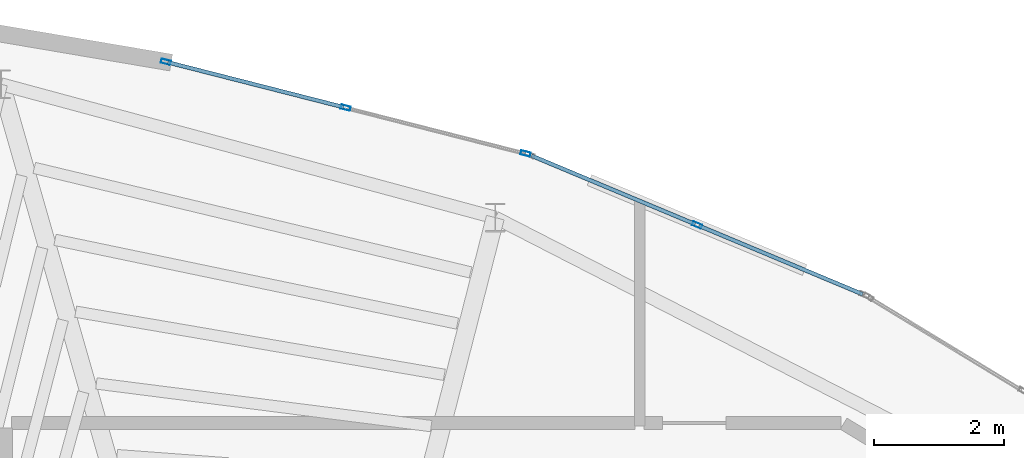
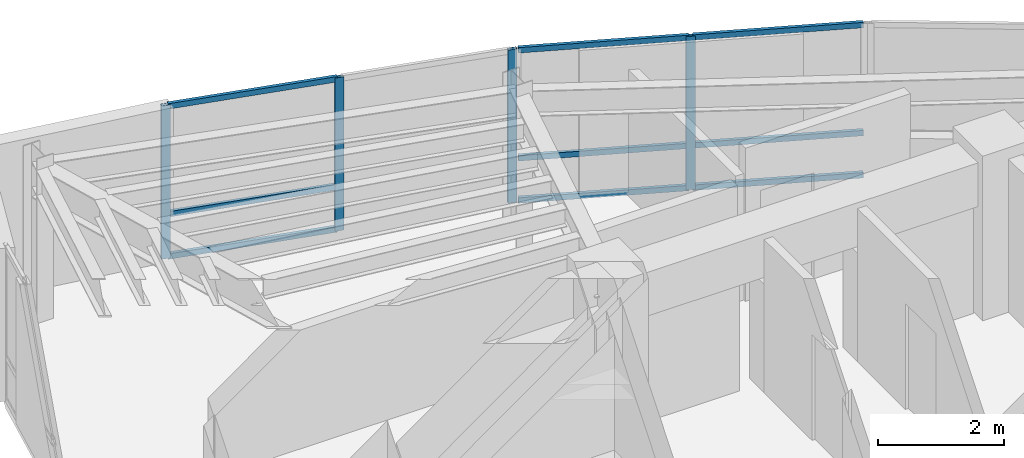
# One storey, part 9 of 14: 13 members, 2 elements without a shape of their own.
"""IFC4 building model written with IfcOpenShell, lengths in metres."""

from ifc_helpers import new_model, si_unit, direction, frame, origin, origin_2d, place, context, subcontext, project, spatial, hollow_rectangle, extrude, material, layer, layer_set, material_profile, profile_set, type_object, element, aggregate, save


model = new_model("IFC4")

# Units and contexts
model_context = context("Model", 3, precision=1e-05, world=origin(), true_north=direction((0.0, 1.0)))
body_context = subcontext(model_context, "Body", "Model", "MODEL_VIEW")
ifc_project = project(units=[si_unit("LENGTHUNIT", "METRE"), si_unit("AREAUNIT", "SQUARE_METRE"), si_unit("VOLUMEUNIT", "CUBIC_METRE"), si_unit("PLANEANGLEUNIT", "RADIAN"), si_unit("MASSUNIT", "GRAM", prefix="KILO")], contexts=[model_context])

# Site, building, storey
site_placement = place(None, origin())
site = spatial("IfcSite", under=ifc_project, at=site_placement, CompositionType="ELEMENT")
building_placement = place(site_placement, origin())
building = spatial("IfcBuilding", under=site, at=building_placement, Name="Menara Vayukalpa", CompositionType="ELEMENT")
storey_placement = place(building_placement, frame((0.0, 0.0, 302.419921875)))
storey = spatial("IfcBuildingStorey", under=building, at=storey_placement, Name="L77", CompositionType="ELEMENT", Elevation=302.419921875)

# Curtain wall, member
ifc_material_1 = material(Name="Anodised Terracotta Aluminium Alloy 6063-T6", Category="masonry")
ifc_layer = layer(ifc_material_1, 0.14990234375)
ifc_layer_set = layer_set([ifc_layer], Name="Anodised Terracotta Aluminium Alloy 6063-T6")
curtain_wall_type = type_object("IfcCurtainWallType", Name="CW-CW7", PredefinedType="USERDEFINED", material=ifc_layer_set)
curtain_wall_1_placement = place(storey_placement, origin())
curtain_wall_1 = element("IfcCurtainWall", 1, at=curtain_wall_1_placement, inside=storey, type_object=curtain_wall_type, Name="L77 Crown Drum Screened Curtain Wall CW7 05", ObjectType="UNITISED", PredefinedType="USERDEFINED")
ifc_material_2 = material(Name="Anodised Terracotta Aluminium Alloy 6063-T6", Category="masonry")
ifc_material_profile_1 = material_profile(ifc_material_2, hollow_rectangle(XDim=0.06494140625, YDim=0.14990234375, WallThickness=0.00341796875, at=origin_2d()), Name="ALU 65x150x3.5")
ifc_profile_set_1 = profile_set([ifc_material_profile_1], Name="Anodised Terracotta Aluminium Alloy 6063-T6")
member_type_1 = type_object("IfcMemberType", Name="CWM-CW7", PredefinedType="MULLION", material=ifc_profile_set_1)
member_1_placement = place(storey_placement, frame((26.48583984375, 31.83544921875, 0.0), z_axis=(0.0, 0.0, 1.0), x_axis=(-0.385898361946, -0.922541302191, 0.0)))
member_1 = element("IfcMember", 2, at=member_1_placement, type_object=member_type_1, Name="CW7 mullion 2", PredefinedType="MULLION", context=body_context, shape_type="SweptSolid", body=[
    extrude(hollow_rectangle(XDim=0.06494140625, YDim=0.14990234375, WallThickness=0.00341796875, at=origin_2d()), origin(), (0.0, 0.0, 1.0), 2.97998046875),
])

# Curtain wall, members
curtain_wall_2_placement = place(storey_placement, origin())
curtain_wall_2 = element("IfcCurtainWall", 3, at=curtain_wall_2_placement, inside=storey, type_object=curtain_wall_type, Name="L77 Crown Drum Screened Curtain Wall CW7 06", ObjectType="UNITISED", PredefinedType="USERDEFINED")
member_2_placement = place(storey_placement, frame((23.83837890625, 32.937744140625, 0.0), z_axis=(0.0, 0.0, 1.0), x_axis=(-0.247123764219, -0.968983924097, 0.0)))
member_2 = element("IfcMember", 4, at=member_2_placement, type_object=member_type_1, Name="CW7 mullion 1", PredefinedType="MULLION", context=body_context, shape_type="SweptSolid", body=[
    extrude(hollow_rectangle(XDim=0.06494140625, YDim=0.14990234375, WallThickness=0.00341796875, at=origin_2d()), origin(), (0.0, 0.0, 1.0), 2.97998046875),
])
member_3_placement = place(storey_placement, frame((21.0615234375, 33.645751953125, 0.0), z_axis=(0.0, 0.0, 1.0), x_axis=(-0.247123764219, -0.968983924097, 0.0)))
member_3 = element("IfcMember", 5, at=member_3_placement, type_object=member_type_1, Name="CW7 mullion 2", PredefinedType="MULLION", context=body_context, shape_type="SweptSolid", body=[
    extrude(hollow_rectangle(XDim=0.06494140625, YDim=0.14990234375, WallThickness=0.00341796875, at=origin_2d()), origin(), (0.0, 0.0, 1.0), 2.97998046875),
])
member_4_placement = place(storey_placement, frame((18.284423828125, 34.35400390625, 0.0), z_axis=(0.0, 0.0, 1.0), x_axis=(-0.247123764219, -0.968983924097, 0.0)))
member_4 = element("IfcMember", 6, at=member_4_placement, type_object=member_type_1, Name="CW7 mullion 3", PredefinedType="MULLION", context=body_context, shape_type="SweptSolid", body=[
    extrude(hollow_rectangle(XDim=0.06494140625, YDim=0.14990234375, WallThickness=0.00341796875, at=origin_2d()), origin(), (0.0, 0.0, 1.0), 2.97998046875),
])

# Member
ifc_material_3 = material(Name="Anodised Terracotta Aluminium Alloy 6063-T6", Category="masonry")
ifc_material_profile_2 = material_profile(ifc_material_3, hollow_rectangle(XDim=0.06005859375, YDim=0.10498046875, WallThickness=0.0029296875, at=origin_2d()), Name="ALU 60x105x3")
ifc_profile_set_2 = profile_set([ifc_material_profile_2], Name="Anodised Terracotta Aluminium Alloy 6063-T6")
member_type_2 = type_object("IfcMemberType", Name="CWT-CW7", PredefinedType="USERDEFINED", material=ifc_profile_set_2)
member_5_placement = place(storey_placement, frame((29.041748046875, 30.76611328125, 0.030029296875), z_axis=(-0.922532551431, 0.385919281132, 0.0), x_axis=(-0.385919281132, -0.922532551431, 0.0)))
member_5 = element("IfcMember", 7, at=member_5_placement, type_object=member_type_2, Name="CW7 transom 1.1", ObjectType="TRANSOM", PredefinedType="USERDEFINED", context=body_context, shape_type="SweptSolid", body=[
    extrude(hollow_rectangle(XDim=0.06005859375, YDim=0.10498046875, WallThickness=0.0029296875, at=origin_2d()), origin(), (0.0, 0.0, 1.0), 2.738037109375),
])

member_6_placement = place(storey_placement, frame((29.041748046875, 30.76611328125, 0.85009765625), z_axis=(-0.922532551431, 0.385919281132, 0.0), x_axis=(-0.385919281132, -0.922532551431, 0.0)))
member_6 = element("IfcMember", 8, at=member_6_placement, type_object=member_type_2, Name="CW7 transom 1.2", ObjectType="TRANSOM", PredefinedType="USERDEFINED", context=body_context, shape_type="SweptSolid", body=[
    extrude(hollow_rectangle(XDim=0.06005859375, YDim=0.10498046875, WallThickness=0.0029296875, at=origin_2d()), origin(), (0.0, 0.0, 1.0), 2.738037109375),
])

member_7_placement = place(storey_placement, frame((29.041748046875, 30.76611328125, 2.9501953125), z_axis=(-0.922532551431, 0.385919281132, 0.0), x_axis=(-0.385919281132, -0.922532551431, 0.0)))
member_7 = element("IfcMember", 9, at=member_7_placement, type_object=member_type_2, Name="CW7 transom 1.3", ObjectType="TRANSOM", PredefinedType="USERDEFINED", context=body_context, shape_type="SweptSolid", body=[
    extrude(hollow_rectangle(XDim=0.06005859375, YDim=0.10498046875, WallThickness=0.0029296875, at=origin_2d()), origin(), (0.0, 0.0, 1.0), 2.738037109375),
])

member_8_placement = place(storey_placement, frame((26.455810546875, 31.847900390625, 0.030029296875), z_axis=(-0.922532551431, 0.385919281132, 0.0), x_axis=(-0.385919281132, -0.922532551431, 0.0)))
member_8 = element("IfcMember", 10, at=member_8_placement, type_object=member_type_2, Name="CW7 transom 2.1", ObjectType="TRANSOM", PredefinedType="USERDEFINED", context=body_context, shape_type="SweptSolid", body=[
    extrude(hollow_rectangle(XDim=0.06005859375, YDim=0.10498046875, WallThickness=0.0029296875, at=origin_2d()), origin(), (0.0, 0.0, 1.0), 2.738037109375),
])

member_9_placement = place(storey_placement, frame((26.455810546875, 31.847900390625, 0.85009765625), z_axis=(-0.922532551431, 0.385919281132, 0.0), x_axis=(-0.385919281132, -0.922532551431, 0.0)))
member_9 = element("IfcMember", 11, at=member_9_placement, type_object=member_type_2, Name="CW7 transom 2.2", ObjectType="TRANSOM", PredefinedType="USERDEFINED", context=body_context, shape_type="SweptSolid", body=[
    extrude(hollow_rectangle(XDim=0.06005859375, YDim=0.10498046875, WallThickness=0.0029296875, at=origin_2d()), origin(), (0.0, 0.0, 1.0), 2.738037109375),
])

member_10_placement = place(storey_placement, frame((26.455810546875, 31.847900390625, 2.9501953125), z_axis=(-0.922532551431, 0.385919281132, 0.0), x_axis=(-0.385919281132, -0.922532551431, 0.0)))
member_10 = element("IfcMember", 12, at=member_10_placement, type_object=member_type_2, Name="CW7 transom 2.3", ObjectType="TRANSOM", PredefinedType="USERDEFINED", context=body_context, shape_type="SweptSolid", body=[
    extrude(hollow_rectangle(XDim=0.06005859375, YDim=0.10498046875, WallThickness=0.0029296875, at=origin_2d()), origin(), (0.0, 0.0, 1.0), 2.738037109375),
])

aggregate(curtain_wall_1, [member_1, member_5, member_6, member_7, member_8, member_9, member_10])

member_11_placement = place(storey_placement, frame((21.030029296875, 33.65380859375, 0.030029296875), z_axis=(-0.968988349591, 0.247106411, 0.0), x_axis=(-0.247106411, -0.968988349591, 0.0)))
member_11 = element("IfcMember", 13, at=member_11_placement, type_object=member_type_2, Name="CW7 transom 2.1", ObjectType="TRANSOM", PredefinedType="USERDEFINED", context=body_context, shape_type="SweptSolid", body=[
    extrude(hollow_rectangle(XDim=0.06005859375, YDim=0.10498046875, WallThickness=0.0029296875, at=origin_2d()), origin(), (0.0, 0.0, 1.0), 2.801025390625),
])

member_12_placement = place(storey_placement, frame((21.030029296875, 33.65380859375, 0.85009765625), z_axis=(-0.968988349591, 0.247106411, 0.0), x_axis=(-0.247106411, -0.968988349591, 0.0)))
member_12 = element("IfcMember", 14, at=member_12_placement, type_object=member_type_2, Name="CW7 transom 2.2", ObjectType="TRANSOM", PredefinedType="USERDEFINED", context=body_context, shape_type="SweptSolid", body=[
    extrude(hollow_rectangle(XDim=0.06005859375, YDim=0.10498046875, WallThickness=0.0029296875, at=origin_2d()), origin(), (0.0, 0.0, 1.0), 2.801025390625),
])

member_13_placement = place(storey_placement, frame((21.030029296875, 33.65380859375, 2.9501953125), z_axis=(-0.968988349591, 0.247106411, 0.0), x_axis=(-0.247106411, -0.968988349591, 0.0)))
member_13 = element("IfcMember", 15, at=member_13_placement, type_object=member_type_2, Name="CW7 transom 2.3", ObjectType="TRANSOM", PredefinedType="USERDEFINED", context=body_context, shape_type="SweptSolid", body=[
    extrude(hollow_rectangle(XDim=0.06005859375, YDim=0.10498046875, WallThickness=0.0029296875, at=origin_2d()), origin(), (0.0, 0.0, 1.0), 2.801025390625),
])

aggregate(curtain_wall_2, [member_2, member_3, member_4, member_11, member_12, member_13])

save(model, "model.ifc")
